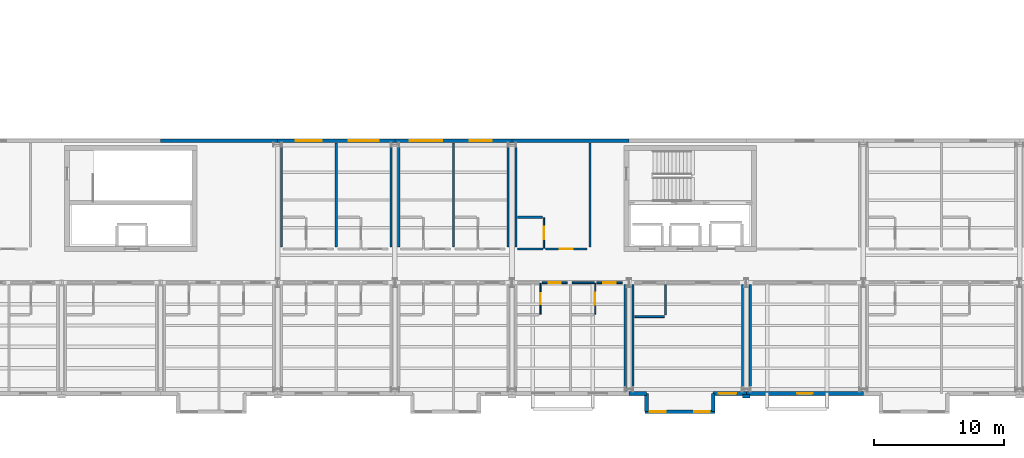
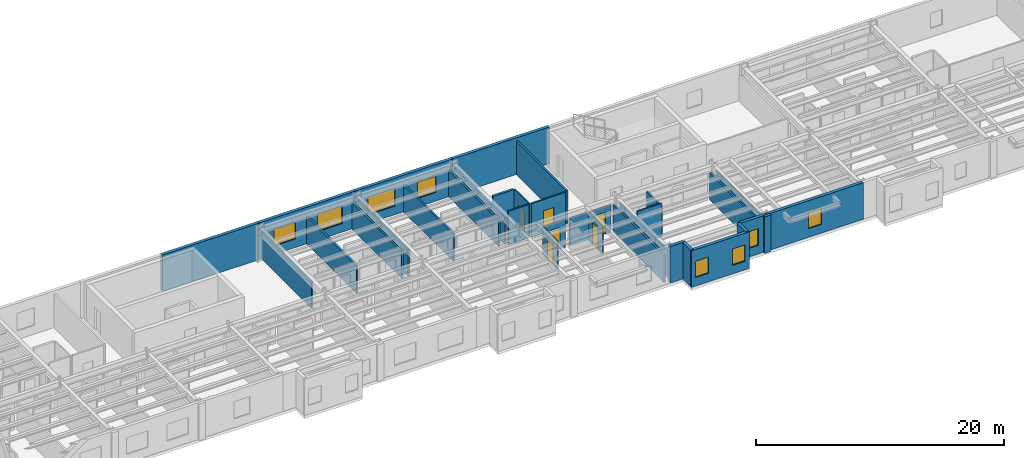
# One storey, part 15 of 27: 34 walls, 8 windows, 6 doors, 14 openings.
"""IFC4 building model written with IfcOpenShell, lengths in metres."""

from ifc_helpers import new_model, si_unit, direction, frame, frame_2d, origin, place, context, subcontext, project, spatial, rectangle, extrude, material, layer, layer_set, type_object, element, fill, save


model = new_model("IFC4")

# Units and contexts
model_context = context("Model", 3, precision=1e-05, world=origin(), true_north=direction((0.0, 1.0)))
body_context = subcontext(model_context, "Body", "Model", "MODEL_VIEW")
ifc_project = project(units=[si_unit("LENGTHUNIT", "METRE"), si_unit("AREAUNIT", "SQUARE_METRE"), si_unit("VOLUMEUNIT", "CUBIC_METRE"), si_unit("PLANEANGLEUNIT", "RADIAN"), si_unit("MASSUNIT", "GRAM", prefix="KILO")], contexts=[model_context])

# Site, building, storey
site_placement = place(None, origin())
site = spatial("IfcSite", under=ifc_project, at=site_placement, CompositionType="ELEMENT")
building_placement = place(site_placement, origin())
building = spatial("IfcBuilding", under=site, at=building_placement, Name="Sollismere Congress Hotel", CompositionType="ELEMENT")
storey_placement = place(building_placement, frame((0.0, 0.0, 27.0)))
storey = spatial("IfcBuildingStorey", under=building, at=storey_placement, Name="L06", CompositionType="ELEMENT", Elevation=27.0)

# Wall
ifc_material_1 = material(Name="Colorado Buff Sandstone Rainscreen on Insulated Backup", Category="masonry")
ifc_layer_1 = layer(ifc_material_1, 0.284912109375, Name="Colorado Buff Sandstone Rainscreen on Insulated Backup")
ifc_layer_set_1 = layer_set([ifc_layer_1], Name="Colorado Buff Sandstone Rainscreen on Insulated Backup")
wall_type_1 = type_object("IfcWallType", Name="WL-EXT285", PredefinedType="STANDARD", material=ifc_layer_set_1)
wall_1_placement = place(storey_placement, frame((94.0, -0.31005859375, 0.0), z_axis=(0.0, 0.0, 1.0), x_axis=(1.0, 0.0, 0.0)))
element("IfcWall", 1, at=wall_1_placement, inside=storey, type_object=wall_type_1, Name="Exterior wall EW-L06-671", PredefinedType="STANDARD", context=body_context, shape_type="SweptSolid", body=[
    extrude(rectangle(XDim=1.340087890625, YDim=0.284912109375, at=frame_2d((0.669921875, 0.0))), origin(), (0.0, 0.0, 1.0), 3.60009765625),
])

# Wall, opening, window
wall_2_placement = place(storey_placement, frame((100.4599609375, -0.31005859375, 0.0), z_axis=(0.0, 0.0, 1.0), x_axis=(1.0, 0.0, 0.0)))
wall_2 = element("IfcWall", 2, at=wall_2_placement, inside=storey, type_object=wall_type_1, Name="Exterior wall EW-L06-672", PredefinedType="STANDARD", context=body_context, shape_type="SweptSolid", body=[
    extrude(rectangle(XDim=2.5400390625, YDim=0.284912109375, at=frame_2d((1.27001953125, 0.0))), origin(), (0.0, 0.0, 1.0), 3.60009765625),
])
opening_1_placement = place(wall_2_placement, frame((0.419921875, 0.0, 0.85009765625)))
opening_1 = element("IfcOpeningElement", 3, at=opening_1_placement, cuts=wall_2, Name="Opening W-L06-498", PredefinedType="OPENING", context=body_context, shape_type="SweptSolid", body=[
    extrude(rectangle(XDim=1.35009765625, YDim=1.64990234375, at=frame_2d((0.675048828125, 0.824951171875))), frame((0.0, 0.15234375, 0.0), z_axis=(0.0, -1.0, 0.0), x_axis=(1.0, 0.0, 0.0)), (0.0, 0.0, 1.0), 0.304931640625),
])
ifc_material_2 = material(Name="Thermally Broken Bronze Aluminum & Low-E Glass", Category="aluminium")
window_type_1 = type_object("IfcWindowType", Name="WN-P135x165", PartitioningType="SINGLE_PANEL", PredefinedType="WINDOW", material=ifc_material_2)
window_1_placement = place(opening_1_placement, origin())
window_1 = element("IfcWindow", 4, at=window_1_placement, inside=storey, type_object=window_type_1, Name="WIN-W-L06-498", OverallHeight=1.64990234375, OverallWidth=1.35009765625, PartitioningType="SINGLE_PANEL", PredefinedType="WINDOW", context=body_context, shape_type="SweptSolid", body=[
    extrude(rectangle(XDim=1.35009765625, YDim=1.64990234375, at=frame_2d((0.675048828125, 0.824951171875))), frame((0.0, 0.030029296875, 0.0), z_axis=(0.0, -1.0, 0.0), x_axis=(1.0, 0.0, 0.0)), (0.0, 0.0, 1.0), 0.06005859375),
])
fill(opening_1, window_1)

# Wall, openings, windows
wall_3_placement = place(storey_placement, frame((95.199951171875, -1.699951171875, 0.0), z_axis=(0.0, 0.0, 1.0), x_axis=(1.0, 0.0, 0.0)))
wall_3 = element("IfcWall", 5, at=wall_3_placement, inside=storey, type_object=wall_type_1, Name="Exterior wall EW-L06-673", PredefinedType="STANDARD", context=body_context, shape_type="SweptSolid", body=[
    extrude(rectangle(XDim=5.400146484375, YDim=0.284912109375, at=frame_2d((2.7001953125, 0.0))), origin(), (0.0, 0.0, 1.0), 3.60009765625),
])
opening_2_placement = place(wall_3_placement, frame((0.39990234375, 0.0, 0.85009765625)))
opening_2 = element("IfcOpeningElement", 6, at=opening_2_placement, cuts=wall_3, Name="Opening W-L06-499", PredefinedType="OPENING", context=body_context, shape_type="SweptSolid", body=[
    extrude(rectangle(XDim=1.199951171875, YDim=1.60009765625, at=frame_2d((0.60009765625, 0.800048828125))), frame((0.0, 0.15234375, 0.0), z_axis=(0.0, -1.0, 0.0), x_axis=(1.0, 0.0, 0.0)), (0.0, 0.0, 1.0), 0.304931640625),
])
opening_3_placement = place(wall_3_placement, frame((3.800048828125, 0.0, 0.85009765625)))
opening_3 = element("IfcOpeningElement", 7, at=opening_3_placement, cuts=wall_3, Name="Opening W-L06-500", PredefinedType="OPENING", context=body_context, shape_type="SweptSolid", body=[
    extrude(rectangle(XDim=1.199951171875, YDim=1.60009765625, at=frame_2d((0.60009765625, 0.800048828125))), frame((0.0, 0.15234375, 0.0), z_axis=(0.0, -1.0, 0.0), x_axis=(1.0, 0.0, 0.0)), (0.0, 0.0, 1.0), 0.304931640625),
])
window_type_2 = type_object("IfcWindowType", Name="WN-P120x160", PartitioningType="SINGLE_PANEL", PredefinedType="WINDOW", material=ifc_material_2)
window_2_placement = place(opening_2_placement, origin())
window_2 = element("IfcWindow", 8, at=window_2_placement, inside=storey, type_object=window_type_2, Name="WIN-W-L06-499", OverallHeight=1.60009765625, OverallWidth=1.199951171875, PartitioningType="SINGLE_PANEL", PredefinedType="WINDOW", context=body_context, shape_type="SweptSolid", body=[
    extrude(rectangle(XDim=1.199951171875, YDim=1.60009765625, at=frame_2d((0.60009765625, 0.800048828125))), frame((0.0, 0.030029296875, 0.0), z_axis=(0.0, -1.0, 0.0), x_axis=(1.0, 0.0, 0.0)), (0.0, 0.0, 1.0), 0.06005859375),
])
fill(opening_2, window_2)
window_3_placement = place(opening_3_placement, origin())
window_3 = element("IfcWindow", 9, at=window_3_placement, inside=storey, type_object=window_type_2, Name="WIN-W-L06-500", OverallHeight=1.60009765625, OverallWidth=1.199951171875, PartitioningType="SINGLE_PANEL", PredefinedType="WINDOW", context=body_context, shape_type="SweptSolid", body=[
    extrude(rectangle(XDim=1.199951171875, YDim=1.60009765625, at=frame_2d((0.60009765625, 0.800048828125))), frame((0.0, 0.030029296875, 0.0), z_axis=(0.0, -1.0, 0.0), x_axis=(1.0, 0.0, 0.0)), (0.0, 0.0, 1.0), 0.06005859375),
])
fill(opening_3, window_3)

# Walls
for number, where, z_axis, x_axis, name in (
    (10, (95.340087890625, -0.31005859375, 0.0), (0.0, 0.0, 1.0), (0.0, -1.0, 0.0), "Exterior wall EW-L06-674"),
    (11, (100.4599609375, -1.699951171875, 0.0), (0.0, 0.0, 1.0), (0.0, 1.0, 0.0), "Exterior wall EW-L06-675"),
):
    element("IfcWall", number, at=place(storey_placement, frame(where, z_axis=z_axis, x_axis=x_axis)), inside=storey, type_object=wall_type_1, Name=name, PredefinedType="STANDARD", context=body_context, shape_type="SweptSolid", body=[
        extrude(rectangle(XDim=1.389892578125, YDim=0.284912109375, at=frame_2d((0.69482421875, 0.0))), origin(), (0.0, 0.0, 1.0), 3.60009765625),
    ])

# Wall, opening, window
wall_4_placement = place(storey_placement, frame((103.0, -0.31005859375, 0.0), z_axis=(0.0, 0.0, 1.0), x_axis=(1.0, 0.0, 0.0)))
wall_4 = element("IfcWall", 12, at=wall_4_placement, inside=storey, type_object=wall_type_1, Name="Exterior wall EW-L06-676", PredefinedType="STANDARD", context=body_context, shape_type="SweptSolid", body=[
    extrude(rectangle(XDim=9.0, YDim=0.284912109375, at=frame_2d((4.5, 0.0))), origin(), (0.0, 0.0, 1.0), 3.60009765625),
])
opening_4_placement = place(wall_4_placement, frame((3.89990234375, 0.0, 0.85009765625)))
opening_4 = element("IfcOpeningElement", 13, at=opening_4_placement, cuts=wall_4, Name="Opening W-L06-501", PredefinedType="OPENING", context=body_context, shape_type="SweptSolid", body=[
    extrude(rectangle(XDim=1.199951171875, YDim=1.60009765625, at=frame_2d((0.60009765625, 0.800048828125))), frame((0.0, 0.15234375, 0.0), z_axis=(0.0, -1.0, 0.0), x_axis=(1.0, 0.0, 0.0)), (0.0, 0.0, 1.0), 0.304931640625),
])
window_4_placement = place(opening_4_placement, origin())
window_4 = element("IfcWindow", 14, at=window_4_placement, inside=storey, type_object=window_type_2, Name="WIN-W-L06-501", OverallHeight=1.60009765625, OverallWidth=1.199951171875, PartitioningType="SINGLE_PANEL", PredefinedType="WINDOW", context=body_context, shape_type="SweptSolid", body=[
    extrude(rectangle(XDim=1.199951171875, YDim=1.60009765625, at=frame_2d((0.60009765625, 0.800048828125))), frame((0.0, 0.030029296875, 0.0), z_axis=(0.0, -1.0, 0.0), x_axis=(1.0, 0.0, 0.0)), (0.0, 0.0, 1.0), 0.06005859375),
])
fill(opening_4, window_4)

# Wall
wall_5_placement = place(storey_placement, frame((67.0, 19.110107421875, 0.0), z_axis=(0.0, 0.0, 1.0), x_axis=(-1.0, 0.0, 0.0)))
element("IfcWall", 15, at=wall_5_placement, inside=storey, type_object=wall_type_1, Name="Exterior wall EW-L06-719", PredefinedType="STANDARD", context=body_context, shape_type="SweptSolid", body=[
    extrude(rectangle(XDim=9.0, YDim=0.284912109375, at=frame_2d((4.5, 0.0))), origin(), (0.0, 0.0, 1.0), 3.60009765625),
])

# Wall, openings, windows
wall_6_placement = place(storey_placement, frame((76.0, 19.110107421875, 0.0), z_axis=(0.0, 0.0, 1.0), x_axis=(-1.0, 0.0, 0.0)))
wall_6 = element("IfcWall", 16, at=wall_6_placement, inside=storey, type_object=wall_type_1, Name="Exterior wall EW-L06-720", PredefinedType="STANDARD", context=body_context, shape_type="SweptSolid", body=[
    extrude(rectangle(XDim=9.0, YDim=0.284912109375, at=frame_2d((4.5, 0.0))), origin(), (0.0, 0.0, 1.0), 3.60009765625),
])
opening_5_placement = place(wall_6_placement, frame((5.60009765625, 0.0, 0.85009765625)))
opening_5 = element("IfcOpeningElement", 17, at=opening_5_placement, cuts=wall_6, Name="Opening W-L06-524", PredefinedType="OPENING", context=body_context, shape_type="SweptSolid", body=[
    extrude(rectangle(XDim=2.0, YDim=1.64990234375, at=frame_2d((1.0, 0.824951171875))), frame((0.0, 0.15234375, 0.0), z_axis=(0.0, -1.0, 0.0), x_axis=(1.0, 0.0, 0.0)), (0.0, 0.0, 1.0), 0.304931640625),
])
opening_6_placement = place(wall_6_placement, frame((1.25, 0.0, 0.85009765625)))
opening_6 = element("IfcOpeningElement", 18, at=opening_6_placement, cuts=wall_6, Name="Opening W-L06-525", PredefinedType="OPENING", context=body_context, shape_type="SweptSolid", body=[
    extrude(rectangle(XDim=2.300048828125, YDim=1.699951171875, at=frame_2d((1.14990234375, 0.85009765625))), frame((0.0, 0.15234375, 0.0), z_axis=(0.0, -1.0, 0.0), x_axis=(1.0, 0.0, 0.0)), (0.0, 0.0, 1.0), 0.304931640625),
])
window_type_3 = type_object("IfcWindowType", Name="WN-P200x165", PartitioningType="SINGLE_PANEL", PredefinedType="WINDOW", material=ifc_material_2)
window_5_placement = place(opening_5_placement, origin())
window_5 = element("IfcWindow", 19, at=window_5_placement, inside=storey, type_object=window_type_3, Name="WIN-W-L06-524", OverallHeight=1.64990234375, OverallWidth=2.0, PartitioningType="SINGLE_PANEL", PredefinedType="WINDOW", context=body_context, shape_type="SweptSolid", body=[
    extrude(rectangle(XDim=2.0, YDim=1.64990234375, at=frame_2d((1.0, 0.824951171875))), frame((0.0, 0.030029296875, 0.0), z_axis=(0.0, -1.0, 0.0), x_axis=(1.0, 0.0, 0.0)), (0.0, 0.0, 1.0), 0.06005859375),
])
fill(opening_5, window_5)
window_type_4 = type_object("IfcWindowType", Name="WN-P230x170", PartitioningType="SINGLE_PANEL", PredefinedType="WINDOW", material=ifc_material_2)
window_6_placement = place(opening_6_placement, origin())
window_6 = element("IfcWindow", 20, at=window_6_placement, inside=storey, type_object=window_type_4, Name="WIN-W-L06-525", OverallHeight=1.699951171875, OverallWidth=2.300048828125, PartitioningType="SINGLE_PANEL", PredefinedType="WINDOW", context=body_context, shape_type="SweptSolid", body=[
    extrude(rectangle(XDim=2.300048828125, YDim=1.699951171875, at=frame_2d((1.14990234375, 0.85009765625))), frame((0.0, 0.030029296875, 0.0), z_axis=(0.0, -1.0, 0.0), x_axis=(1.0, 0.0, 0.0)), (0.0, 0.0, 1.0), 0.06005859375),
])
fill(opening_6, window_6)

wall_7_placement = place(storey_placement, frame((85.0, 19.110107421875, 0.0), z_axis=(0.0, 0.0, 1.0), x_axis=(-1.0, 0.0, 0.0)))
wall_7 = element("IfcWall", 21, at=wall_7_placement, inside=storey, type_object=wall_type_1, Name="Exterior wall EW-L06-721", PredefinedType="STANDARD", context=body_context, shape_type="SweptSolid", body=[
    extrude(rectangle(XDim=9.0, YDim=0.284912109375, at=frame_2d((4.5, 0.0))), origin(), (0.0, 0.0, 1.0), 3.60009765625),
])
opening_7_placement = place(wall_7_placement, frame((5.35009765625, 0.0, 0.85009765625)))
opening_7 = element("IfcOpeningElement", 22, at=opening_7_placement, cuts=wall_7, Name="Opening W-L06-526", PredefinedType="OPENING", context=body_context, shape_type="SweptSolid", body=[
    extrude(rectangle(XDim=2.5, YDim=1.75, at=frame_2d((1.25, 0.875))), frame((0.0, 0.15234375, 0.0), z_axis=(0.0, -1.0, 0.0), x_axis=(1.0, 0.0, 0.0)), (0.0, 0.0, 1.0), 0.304931640625),
])
opening_8_placement = place(wall_7_placement, frame((1.550048828125, 0.0, 0.85009765625)))
opening_8 = element("IfcOpeningElement", 23, at=opening_8_placement, cuts=wall_7, Name="Opening W-L06-527", PredefinedType="OPENING", context=body_context, shape_type="SweptSolid", body=[
    extrude(rectangle(XDim=1.699951171875, YDim=1.60009765625, at=frame_2d((0.85009765625, 0.800048828125))), frame((0.0, 0.15234375, 0.0), z_axis=(0.0, -1.0, 0.0), x_axis=(1.0, 0.0, 0.0)), (0.0, 0.0, 1.0), 0.304931640625),
])
window_type_5 = type_object("IfcWindowType", Name="WN-P170x160", PartitioningType="SINGLE_PANEL", PredefinedType="WINDOW", material=ifc_material_2)
window_7_placement = place(opening_8_placement, origin())
window_7 = element("IfcWindow", 24, at=window_7_placement, inside=storey, type_object=window_type_5, Name="WIN-W-L06-527", OverallHeight=1.60009765625, OverallWidth=1.699951171875, PartitioningType="SINGLE_PANEL", PredefinedType="WINDOW", context=body_context, shape_type="SweptSolid", body=[
    extrude(rectangle(XDim=1.699951171875, YDim=1.60009765625, at=frame_2d((0.85009765625, 0.800048828125))), frame((0.0, 0.030029296875, 0.0), z_axis=(0.0, -1.0, 0.0), x_axis=(1.0, 0.0, 0.0)), (0.0, 0.0, 1.0), 0.06005859375),
])
fill(opening_8, window_7)
window_type_6 = type_object("IfcWindowType", Name="WN-P250x175", PartitioningType="SINGLE_PANEL", PredefinedType="WINDOW", material=ifc_material_2)
window_8_placement = place(opening_7_placement, origin())
window_8 = element("IfcWindow", 25, at=window_8_placement, inside=storey, type_object=window_type_6, Name="WIN-W-L06-526", OverallHeight=1.75, OverallWidth=2.5, PartitioningType="SINGLE_PANEL", PredefinedType="WINDOW", context=body_context, shape_type="SweptSolid", body=[
    extrude(rectangle(XDim=2.5, YDim=1.75, at=frame_2d((1.25, 0.875))), frame((0.0, 0.030029296875, 0.0), z_axis=(0.0, -1.0, 0.0), x_axis=(1.0, 0.0, 0.0)), (0.0, 0.0, 1.0), 0.06005859375),
])
fill(opening_7, window_8)

# Walls
wall_8_placement = place(storey_placement, frame((94.0, 19.110107421875, 0.0), z_axis=(0.0, 0.0, 1.0), x_axis=(-1.0, 0.0, 0.0)))
element("IfcWall", 26, at=wall_8_placement, inside=storey, type_object=wall_type_1, Name="Exterior wall EW-L06-722", PredefinedType="STANDARD", context=body_context, shape_type="SweptSolid", body=[
    extrude(rectangle(XDim=9.0, YDim=0.284912109375, at=frame_2d((4.5, 0.0))), origin(), (0.0, 0.0, 1.0), 3.60009765625),
])
ifc_material_3 = material(Name="Carved Travertine Pilaster & Frieze Assembly", Category="masonry")
ifc_layer_2 = layer(ifc_material_3, 0.260009765625, Name="Carved Travertine Pilaster & Frieze Assembly")
ifc_layer_set_2 = layer_set([ifc_layer_2], Name="Carved Travertine Pilaster & Frieze Assembly")
wall_type_2 = type_object("IfcWallType", Name="WL-PIL280", PredefinedType="ELEMENTEDWALL", material=ifc_layer_set_2)
wall_9_placement = place(storey_placement, frame((102.699951171875, -0.52001953125, 0.0), z_axis=(0.0, 0.0, 1.0), x_axis=(1.0, 0.0, 0.0)))
element("IfcWall", 27, at=wall_9_placement, inside=storey, type_object=wall_type_2, Name="Exterior wall EW-L06-677", PredefinedType="ELEMENTEDWALL", context=body_context, shape_type="SweptSolid", body=[
    extrude(rectangle(XDim=0.60009765625, YDim=0.260009765625, at=frame_2d((0.300048828125, 0.0))), origin(), (0.0, 0.0, 1.0), 3.60009765625),
])
ifc_material_4 = material(Name="Moisture-Resistant Shaft Gypsum Assembly")
ifc_layer_3 = layer(ifc_material_4, 0.199951171875, Name="Moisture-Resistant Shaft Gypsum Assembly")
ifc_layer_set_3 = layer_set([ifc_layer_3], Name="Moisture-Resistant Shaft Gypsum Assembly")
wall_type_3 = type_object("IfcWallType", Name="WL-PLM200", PredefinedType="PLUMBINGWALL", material=ifc_layer_set_3)
wall_10_placement = place(storey_placement, frame((85.419921875, 13.25, 0.0), z_axis=(0.0, 0.0, 1.0), x_axis=(1.0, 0.0, 0.0)))
element("IfcWall", 28, at=wall_10_placement, inside=storey, type_object=wall_type_3, Name="Interior wall IW-L06-2077", PredefinedType="PLUMBINGWALL", context=body_context, shape_type="SweptSolid", body=[
    extrude(rectangle(XDim=1.91015625, YDim=0.199951171875, at=frame_2d((0.955078125, 0.0))), origin(), (0.0, 0.0, 1.0), 3.2900390625),
])

# Wall, opening, door
ifc_material_5 = material(Name="Moisture-Resistant Gypsum Partition")
ifc_layer_4 = layer(ifc_material_5, 0.10009765625, Name="Moisture-Resistant Gypsum Partition")
ifc_layer_set_4 = layer_set([ifc_layer_4], Name="Moisture-Resistant Gypsum Partition")
wall_type_4 = type_object("IfcWallType", Name="WL-PRT100", PredefinedType="PARTITIONING", material=ifc_layer_set_4)
wall_11_placement = place(storey_placement, frame((87.18994140625, 5.7900390625, 0.0), z_axis=(0.0, 0.0, 1.0), x_axis=(0.0, 1.0, 0.0)))
wall_11 = element("IfcWall", 29, at=wall_11_placement, inside=storey, type_object=wall_type_4, Name="Interior wall IW-L06-2065", PredefinedType="PARTITIONING", context=body_context, shape_type="SweptSolid", body=[
    extrude(rectangle(XDim=2.369873046875, YDim=0.10009765625, at=frame_2d((1.18505859375, 0.0))), origin(), (0.0, 0.0, 1.0), 2.702880859375),
])
opening_9_placement = place(wall_11_placement, frame((0.7451171875, 0.0, 0.0)))
opening_9 = element("IfcOpeningElement", 30, at=opening_9_placement, cuts=wall_11, Name="Opening D-L06-0729", PredefinedType="OPENING", context=body_context, shape_type="SweptSolid", body=[
    extrude(rectangle(XDim=0.8798828125, YDim=2.10009765625, at=frame_2d((0.43994140625, 1.050048828125))), frame((0.0, 0.06005859375, 0.0), z_axis=(0.0, -1.0, 0.0), x_axis=(1.0, 0.0, 0.0)), (0.0, 0.0, 1.0), 0.1201171875),
])
ifc_material_6 = material(Name="Moisture-Sealed Timber Bathroom Door", Category="wood")
door_type_1 = type_object("IfcDoorType", Name="DR-BT01", OperationType="NOTDEFINED", PredefinedType="DOOR", material=ifc_material_6)
door_1_placement = place(opening_9_placement, origin())
door_1 = element("IfcDoor", 31, at=door_1_placement, inside=storey, type_object=door_type_1, Name="En-suite bathroom door D-L06-0729", OperationType="SINGLE_SWING_RIGHT", OverallHeight=2.10009765625, OverallWidth=0.8798828125, PredefinedType="DOOR", context=body_context, shape_type="SweptSolid", body=[
    extrude(rectangle(XDim=0.8798828125, YDim=2.10009765625, at=frame_2d((0.43994140625, 1.050048828125))), frame((0.0, 0.02490234375, 0.0), z_axis=(0.0, -1.0, 0.0), x_axis=(1.0, 0.0, 0.0)), (0.0, 0.0, 1.0), 0.050048828125),
])
fill(opening_9, door_1)

wall_12_placement = place(storey_placement, frame((91.389892578125, 5.7900390625, 0.0), z_axis=(0.0, 0.0, 1.0), x_axis=(0.0, 1.0, 0.0)))
wall_12 = element("IfcWall", 32, at=wall_12_placement, inside=storey, type_object=wall_type_4, Name="Interior wall IW-L06-2070", PredefinedType="PARTITIONING", context=body_context, shape_type="SweptSolid", body=[
    extrude(rectangle(XDim=2.369873046875, YDim=0.10009765625, at=frame_2d((1.18505859375, 0.0))), origin(), (0.0, 0.0, 1.0), 2.702880859375),
])
opening_10_placement = place(wall_12_placement, frame((0.73291015625, 0.0, 0.0)))
opening_10 = element("IfcOpeningElement", 33, at=opening_10_placement, cuts=wall_12, Name="Opening D-L06-0731", PredefinedType="OPENING", context=body_context, shape_type="SweptSolid", body=[
    extrude(rectangle(XDim=0.905029296875, YDim=2.10009765625, at=frame_2d((0.45263671875, 1.050048828125))), frame((0.0, 0.06005859375, 0.0), z_axis=(0.0, -1.0, 0.0), x_axis=(1.0, 0.0, 0.0)), (0.0, 0.0, 1.0), 0.1201171875),
])
door_type_2 = type_object("IfcDoorType", Name="DR-BT02", OperationType="NOTDEFINED", PredefinedType="DOOR", material=ifc_material_6)
door_2_placement = place(opening_10_placement, origin())
door_2 = element("IfcDoor", 34, at=door_2_placement, inside=storey, type_object=door_type_2, Name="En-suite bathroom door D-L06-0731", OperationType="SINGLE_SWING_RIGHT", OverallHeight=2.10009765625, OverallWidth=0.905029296875, PredefinedType="DOOR", context=body_context, shape_type="SweptSolid", body=[
    extrude(rectangle(XDim=0.905029296875, YDim=2.10009765625, at=frame_2d((0.45263671875, 1.050048828125))), frame((0.0, 0.02490234375, 0.0), z_axis=(0.0, -1.0, 0.0), x_axis=(1.0, 0.0, 0.0)), (0.0, 0.0, 1.0), 0.050048828125),
])
fill(opening_10, door_2)

wall_13_placement = place(storey_placement, frame((87.449951171875, 10.840087890625, 0.0), z_axis=(0.0, 0.0, 1.0), x_axis=(0.0, 1.0, 0.0)))
wall_13 = element("IfcWall", 35, at=wall_13_placement, inside=storey, type_object=wall_type_4, Name="Interior wall IW-L06-2076", PredefinedType="PARTITIONING", context=body_context, shape_type="SweptSolid", body=[
    extrude(rectangle(XDim=2.369873046875, YDim=0.10009765625, at=frame_2d((1.18505859375, 0.0))), origin(), (0.0, 0.0, 1.0), 3.2900390625),
])
opening_11_placement = place(wall_13_placement, frame((0.719970703125, 0.0, 0.0)))
opening_11 = element("IfcOpeningElement", 36, at=opening_11_placement, cuts=wall_13, Name="Opening D-L06-0733", PredefinedType="OPENING", context=body_context, shape_type="SweptSolid", body=[
    extrude(rectangle(XDim=0.929931640625, YDim=2.139892578125, at=frame_2d((0.46484375, 1.06982421875))), frame((0.0, 0.06005859375, 0.0), z_axis=(0.0, -1.0, 0.0), x_axis=(1.0, 0.0, 0.0)), (0.0, 0.0, 1.0), 0.1201171875),
])
door_type_3 = type_object("IfcDoorType", Name="DR-BT03", OperationType="NOTDEFINED", PredefinedType="DOOR", material=ifc_material_6)
door_3_placement = place(opening_11_placement, origin())
door_3 = element("IfcDoor", 37, at=door_3_placement, inside=storey, type_object=door_type_3, Name="En-suite bathroom door D-L06-0733", OperationType="SINGLE_SWING_RIGHT", OverallHeight=2.139892578125, OverallWidth=0.929931640625, PredefinedType="DOOR", context=body_context, shape_type="SweptSolid", body=[
    extrude(rectangle(XDim=0.929931640625, YDim=2.139892578125, at=frame_2d((0.46484375, 1.06982421875))), frame((0.0, 0.02490234375, 0.0), z_axis=(0.0, -1.0, 0.0), x_axis=(1.0, 0.0, 0.0)), (0.0, 0.0, 1.0), 0.050048828125),
])
fill(opening_11, door_3)

ifc_material_7 = material(Name="Fire-Rated Gypsum Partition")
ifc_layer_5 = layer(ifc_material_7, 0.139892578125, Name="Fire-Rated Gypsum Partition")
ifc_layer_set_5 = layer_set([ifc_layer_5], Name="Fire-Rated Gypsum Partition")
wall_type_5 = type_object("IfcWallType", Name="WL-PRT140R", PredefinedType="PARTITIONING", material=ifc_layer_set_5)
wall_14_placement = place(storey_placement, frame((87.31005859375, 8.199951171875, 0.0), z_axis=(0.0, 0.0, 1.0), x_axis=(1.0, 0.0, 0.0)))
wall_14 = element("IfcWall", 38, at=wall_14_placement, inside=storey, type_object=wall_type_5, Name="Interior wall IW-L06-2062", PredefinedType="PARTITIONING", context=body_context, shape_type="SweptSolid", body=[
    extrude(rectangle(XDim=1.949951171875, YDim=0.139892578125, at=frame_2d((0.97509765625, 0.0))), origin(), (0.0, 0.0, 1.0), 2.702880859375),
])
opening_12_placement = place(wall_14_placement, frame((0.514892578125, 0.0, 0.0)))
opening_12 = element("IfcOpeningElement", 39, at=opening_12_placement, cuts=wall_14, Name="Opening D-L06-0728", PredefinedType="OPENING", context=body_context, shape_type="SweptSolid", body=[
    extrude(rectangle(XDim=0.919921875, YDim=2.14990234375, at=frame_2d((0.4599609375, 1.074951171875))), frame((0.0, 0.079833984375, 0.0), z_axis=(0.0, -1.0, 0.0), x_axis=(1.0, 0.0, 0.0)), (0.0, 0.0, 1.0), 0.159912109375),
])
ifc_material_8 = material(Name="Solid-Core Acoustic Walnut Guestroom Entry Door")
door_type_4 = type_object("IfcDoorType", Name="DR-KY01", OperationType="NOTDEFINED", PredefinedType="DOOR", material=ifc_material_8)
door_4_placement = place(opening_12_placement, origin())
door_4 = element("IfcDoor", 40, at=door_4_placement, inside=storey, type_object=door_type_4, Name="Hotel room entry door D-L06-0728", OperationType="SINGLE_SWING_LEFT", OverallHeight=2.14990234375, OverallWidth=0.919921875, PredefinedType="DOOR", context=body_context, shape_type="SweptSolid", body=[
    extrude(rectangle(XDim=0.919921875, YDim=2.14990234375, at=frame_2d((0.4599609375, 1.074951171875))), frame((0.0, 0.02490234375, 0.0), z_axis=(0.0, -1.0, 0.0), x_axis=(1.0, 0.0, 0.0)), (0.0, 0.0, 1.0), 0.050048828125),
])
fill(opening_12, door_4)

# Wall
wall_15_placement = place(storey_placement, frame((89.639892578125, 8.199951171875, 0.0), z_axis=(0.0, 0.0, 1.0), x_axis=(1.0, 0.0, 0.0)))
element("IfcWall", 41, at=wall_15_placement, inside=storey, type_object=wall_type_5, Name="Interior wall IW-L06-2067", PredefinedType="PARTITIONING", context=body_context, shape_type="SweptSolid", body=[
    extrude(rectangle(XDim=1.670166015625, YDim=0.139892578125, at=frame_2d((0.8349609375, 0.0))), origin(), (0.0, 0.0, 1.0), 2.702880859375),
])

# Wall, opening, door
wall_16_placement = place(storey_placement, frame((91.510009765625, 8.199951171875, 0.0), z_axis=(0.0, 0.0, 1.0), x_axis=(1.0, 0.0, 0.0)))
wall_16 = element("IfcWall", 42, at=wall_16_placement, inside=storey, type_object=wall_type_5, Name="Interior wall IW-L06-2068", PredefinedType="PARTITIONING", context=body_context, shape_type="SweptSolid", body=[
    extrude(rectangle(XDim=1.949951171875, YDim=0.139892578125, at=frame_2d((0.97509765625, 0.0))), origin(), (0.0, 0.0, 1.0), 2.702880859375),
])
opening_13_placement = place(wall_16_placement, frame((0.5, 0.0, 0.0)))
opening_13 = element("IfcOpeningElement", 43, at=opening_13_placement, cuts=wall_16, Name="Opening D-L06-0730", PredefinedType="OPENING", context=body_context, shape_type="SweptSolid", body=[
    extrude(rectangle(XDim=0.949951171875, YDim=2.14990234375, at=frame_2d((0.47509765625, 1.074951171875))), frame((0.0, 0.079833984375, 0.0), z_axis=(0.0, -1.0, 0.0), x_axis=(1.0, 0.0, 0.0)), (0.0, 0.0, 1.0), 0.159912109375),
])
door_type_5 = type_object("IfcDoorType", Name="DR-KY02", OperationType="NOTDEFINED", PredefinedType="DOOR", material=ifc_material_8)
door_5_placement = place(opening_13_placement, origin())
door_5 = element("IfcDoor", 44, at=door_5_placement, inside=storey, type_object=door_type_5, Name="Hotel room entry door D-L06-0730", OperationType="SINGLE_SWING_LEFT", OverallHeight=2.14990234375, OverallWidth=0.949951171875, PredefinedType="DOOR", context=body_context, shape_type="SweptSolid", body=[
    extrude(rectangle(XDim=0.949951171875, YDim=2.14990234375, at=frame_2d((0.47509765625, 1.074951171875))), frame((0.0, 0.02490234375, 0.0), z_axis=(0.0, -1.0, 0.0), x_axis=(1.0, 0.0, 0.0)), (0.0, 0.0, 1.0), 0.050048828125),
])
fill(opening_13, door_5)

# Wall
wall_17_placement = place(storey_placement, frame((85.43994140625, 10.800048828125, 0.0), z_axis=(0.0, 0.0, 1.0), x_axis=(1.0, 0.0, 0.0)))
element("IfcWall", 45, at=wall_17_placement, inside=storey, type_object=wall_type_5, Name="Interior wall IW-L06-2072", PredefinedType="PARTITIONING", context=body_context, shape_type="SweptSolid", body=[
    extrude(rectangle(XDim=1.93017578125, YDim=0.139892578125, at=frame_2d((0.965087890625, 0.0))), origin(), (0.0, 0.0, 1.0), 3.2900390625),
])

# Wall, opening, door
wall_18_placement = place(storey_placement, frame((87.570068359375, 10.800048828125, 0.0), z_axis=(0.0, 0.0, 1.0), x_axis=(1.0, 0.0, 0.0)))
wall_18 = element("IfcWall", 46, at=wall_18_placement, inside=storey, type_object=wall_type_5, Name="Interior wall IW-L06-2073", PredefinedType="PARTITIONING", context=body_context, shape_type="SweptSolid", body=[
    extrude(rectangle(XDim=3.18994140625, YDim=0.139892578125, at=frame_2d((1.594970703125, 0.0))), origin(), (0.0, 0.0, 1.0), 3.2900390625),
])
opening_14_placement = place(wall_18_placement, frame((1.10498046875, 0.0, 0.0)))
opening_14 = element("IfcOpeningElement", 47, at=opening_14_placement, cuts=wall_18, Name="Opening D-L06-0732", PredefinedType="OPENING", context=body_context, shape_type="SweptSolid", body=[
    extrude(rectangle(XDim=0.97998046875, YDim=2.199951171875, at=frame_2d((0.489990234375, 1.10009765625))), frame((0.0, 0.079833984375, 0.0), z_axis=(0.0, -1.0, 0.0), x_axis=(1.0, 0.0, 0.0)), (0.0, 0.0, 1.0), 0.159912109375),
])
door_type_6 = type_object("IfcDoorType", Name="DR-KY03", OperationType="NOTDEFINED", PredefinedType="DOOR", material=ifc_material_8)
door_6_placement = place(opening_14_placement, origin())
door_6 = element("IfcDoor", 48, at=door_6_placement, inside=storey, type_object=door_type_6, Name="Hotel room entry door D-L06-0732", OperationType="SINGLE_SWING_LEFT", OverallHeight=2.199951171875, OverallWidth=0.97998046875, PredefinedType="DOOR", context=body_context, shape_type="SweptSolid", body=[
    extrude(rectangle(XDim=0.97998046875, YDim=2.199951171875, at=frame_2d((0.489990234375, 1.10009765625))), frame((0.0, 0.02490234375, 0.0), z_axis=(0.0, -1.0, 0.0), x_axis=(1.0, 0.0, 0.0)), (0.0, 0.0, 1.0), 0.050048828125),
])
fill(opening_14, door_6)

# Walls
wall_19_placement = place(storey_placement, frame((96.800048828125, 5.739990234375, 0.0), z_axis=(0.0, 0.0, 1.0), x_axis=(0.0, 1.0, 0.0)))
element("IfcWall", 49, at=wall_19_placement, inside=storey, type_object=wall_type_5, Name="Interior wall IW-L06-2189", PredefinedType="PARTITIONING", context=body_context, shape_type="SweptSolid", body=[
    extrude(rectangle(XDim=2.320068359375, YDim=0.139892578125, at=frame_2d((1.16015625, 0.0))), origin(), (0.0, 0.0, 1.0), 2.89794921875),
])
wall_20_placement = place(storey_placement, frame((94.43994140625, 5.60009765625, 0.0), z_axis=(0.0, 0.0, 1.0), x_axis=(1.0, 0.0, 0.0)))
element("IfcWall", 50, at=wall_20_placement, inside=storey, type_object=wall_type_5, Name="Interior wall IW-L06-2190", PredefinedType="PARTITIONING", context=body_context, shape_type="SweptSolid", body=[
    extrude(rectangle(XDim=2.260009765625, YDim=0.139892578125, at=frame_2d((1.1298828125, 0.0))), origin(), (0.0, 0.0, 1.0), 3.2900390625),
])
ifc_material_9 = material(Name="Fire-Rated Acoustic Gypsum Partition")
ifc_layer_6 = layer(ifc_material_9, 0.1650390625, Name="Fire-Rated Acoustic Gypsum Partition")
ifc_layer_set_6 = layer_set([ifc_layer_6], Name="Fire-Rated Acoustic Gypsum Partition")
wall_type_6 = type_object("IfcWallType", Name="WL-PRT165R", PredefinedType="PARTITIONING", material=ifc_layer_set_6)
wall_21_placement = place(storey_placement, frame((67.300048828125, 10.93994140625, 0.0), z_axis=(0.0, 0.0, 1.0), x_axis=(0.0, 1.0, 0.0)))
element("IfcWall", 51, at=wall_21_placement, inside=storey, type_object=wall_type_6, Name="Interior wall IW-L06-2030", PredefinedType="PARTITIONING", context=body_context, shape_type="SweptSolid", body=[
    extrude(rectangle(XDim=8.012451171875, YDim=0.1650390625, at=frame_2d((4.00634765625, 0.0))), origin(), (0.0, 0.0, 1.0), 2.618896484375),
])
wall_22_placement = place(storey_placement, frame((71.5, 10.93994140625, 0.0), z_axis=(0.0, 0.0, 1.0), x_axis=(0.0, 1.0, 0.0)))
element("IfcWall", 52, at=wall_22_placement, inside=storey, type_object=wall_type_6, Name="Interior wall IW-L06-2031", PredefinedType="PARTITIONING", context=body_context, shape_type="SweptSolid", body=[
    extrude(rectangle(XDim=8.012451171875, YDim=0.1650390625, at=frame_2d((4.00634765625, 0.0))), origin(), (0.0, 0.0, 1.0), 2.702880859375),
])
for number, where, z_axis, x_axis, name in (
    (53, (75.699951171875, 10.93994140625, 0.0), (0.0, 0.0, 1.0), (0.0, 1.0, 0.0), "Interior wall IW-L06-2036"),
    (54, (76.300048828125, 10.93994140625, 0.0), (0.0, 0.0, 1.0), (0.0, 1.0, 0.0), "Interior wall IW-L06-2052"),
):
    element("IfcWall", number, at=place(storey_placement, frame(where, z_axis=z_axis, x_axis=x_axis)), inside=storey, type_object=wall_type_6, Name=name, PredefinedType="PARTITIONING", context=body_context, shape_type="SweptSolid", body=[
        extrude(rectangle(XDim=8.012451171875, YDim=0.1650390625, at=frame_2d((4.00634765625, 0.0))), origin(), (0.0, 0.0, 1.0), 2.618896484375),
    ])
wall_23_placement = place(storey_placement, frame((80.5, 10.93994140625, 0.0), z_axis=(0.0, 0.0, 1.0), x_axis=(0.0, 1.0, 0.0)))
element("IfcWall", 55, at=wall_23_placement, inside=storey, type_object=wall_type_6, Name="Interior wall IW-L06-2053", PredefinedType="PARTITIONING", context=body_context, shape_type="SweptSolid", body=[
    extrude(rectangle(XDim=8.012451171875, YDim=0.1650390625, at=frame_2d((4.00634765625, 0.0))), origin(), (0.0, 0.0, 1.0), 2.702880859375),
])
wall_24_placement = place(storey_placement, frame((84.699951171875, 10.93994140625, 0.0), z_axis=(0.0, 0.0, 1.0), x_axis=(0.0, 1.0, 0.0)))
element("IfcWall", 56, at=wall_24_placement, inside=storey, type_object=wall_type_6, Name="Interior wall IW-L06-2058", PredefinedType="PARTITIONING", context=body_context, shape_type="SweptSolid", body=[
    extrude(rectangle(XDim=8.012451171875, YDim=0.1650390625, at=frame_2d((4.00634765625, 0.0))), origin(), (0.0, 0.0, 1.0), 2.618896484375),
])
wall_25_placement = place(storey_placement, frame((93.699951171875, -0.152587890625, 0.0), z_axis=(0.0, 0.0, 1.0), x_axis=(0.0, 1.0, 0.0)))
element("IfcWall", 57, at=wall_25_placement, inside=storey, type_object=wall_type_6, Name="Interior wall IW-L06-2069", PredefinedType="PARTITIONING", context=body_context, shape_type="SweptSolid", body=[
    extrude(rectangle(XDim=8.212646484375, YDim=0.1650390625, at=frame_2d((4.1064453125, 0.0))), origin(), (0.0, 0.0, 1.0), 2.679931640625),
])
wall_26_placement = place(storey_placement, frame((85.300048828125, 10.93994140625, 0.0), z_axis=(0.0, 0.0, 1.0), x_axis=(0.0, 1.0, 0.0)))
element("IfcWall", 58, at=wall_26_placement, inside=storey, type_object=wall_type_6, Name="Interior wall IW-L06-2074", PredefinedType="PARTITIONING", context=body_context, shape_type="SweptSolid", body=[
    extrude(rectangle(XDim=8.012451171875, YDim=0.1650390625, at=frame_2d((4.00634765625, 0.0))), origin(), (0.0, 0.0, 1.0), 2.618896484375),
])
wall_27_placement = place(storey_placement, frame((91.0, 10.93994140625, 0.0), z_axis=(0.0, 0.0, 1.0), x_axis=(0.0, 1.0, 0.0)))
element("IfcWall", 59, at=wall_27_placement, inside=storey, type_object=wall_type_6, Name="Interior wall IW-L06-2075", PredefinedType="PARTITIONING", context=body_context, shape_type="SweptSolid", body=[
    extrude(rectangle(XDim=8.012451171875, YDim=0.1650390625, at=frame_2d((4.00634765625, 0.0))), origin(), (0.0, 0.0, 1.0), 3.2900390625),
])
for number, where, z_axis, x_axis, name in (
    (60, (94.300048828125, -0.152587890625, 0.0), (0.0, 0.0, 1.0), (0.0, 1.0, 0.0), "Interior wall IW-L06-2192"),
    (61, (102.699951171875, -0.152587890625, 0.0), (0.0, 0.0, 1.0), (0.0, 1.0, 0.0), "Interior wall IW-L06-2193"),
    (62, (103.300048828125, -0.152587890625, 0.0), (0.0, 0.0, 1.0), (0.0, 1.0, 0.0), "Interior wall IW-L06-2195"),
):
    element("IfcWall", number, at=place(storey_placement, frame(where, z_axis=z_axis, x_axis=x_axis)), inside=storey, type_object=wall_type_6, Name=name, PredefinedType="PARTITIONING", context=body_context, shape_type="SweptSolid", body=[
        extrude(rectangle(XDim=8.212646484375, YDim=0.1650390625, at=frame_2d((4.1064453125, 0.0))), origin(), (0.0, 0.0, 1.0), 2.679931640625),
    ])

save(model, "model.ifc")
